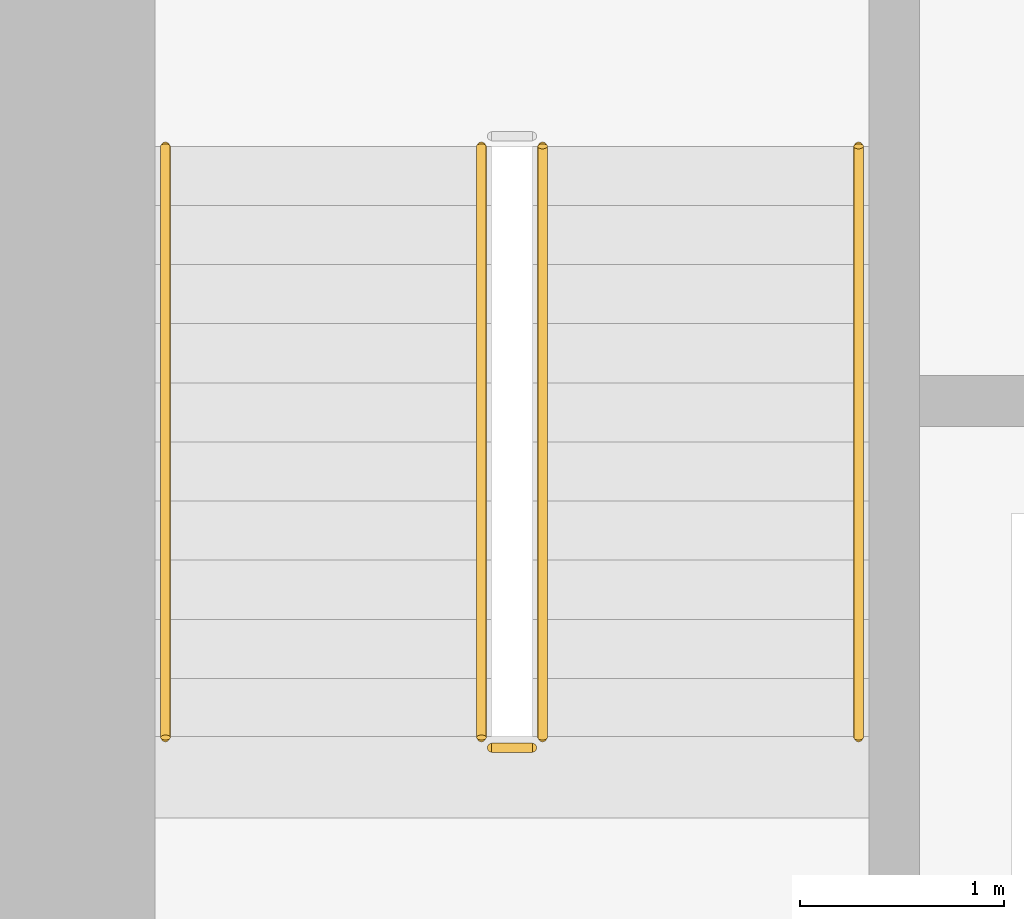
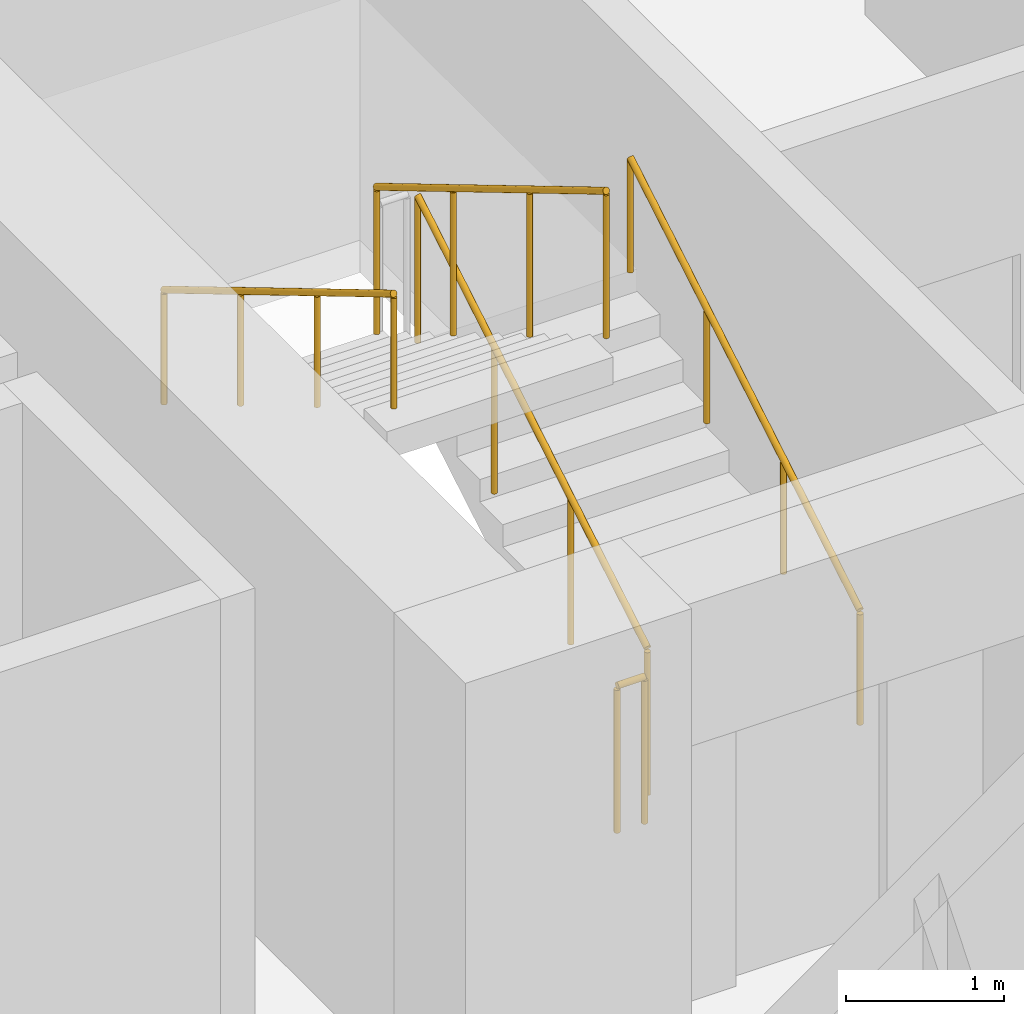
# One storey, part 24 of 27: 5 railings.
"""IFC4 building model written with IfcOpenShell, lengths in metres."""

from ifc_helpers import new_model, si_unit, direction, frame, origin, origin_2d, place, context, subcontext, project, spatial, circle, extrude, material, type_object, element, save


model = new_model("IFC4")

# Units and contexts
model_context = context("Model", 3, precision=1e-05, world=origin(), true_north=direction((0.0, 1.0)))
body_context = subcontext(model_context, "Body", "Model", "MODEL_VIEW")
ifc_project = project(units=[si_unit("LENGTHUNIT", "METRE"), si_unit("AREAUNIT", "SQUARE_METRE"), si_unit("VOLUMEUNIT", "CUBIC_METRE"), si_unit("PLANEANGLEUNIT", "RADIAN"), si_unit("MASSUNIT", "GRAM", prefix="KILO")], contexts=[model_context])

# Site, building, storey
site_placement = place(None, origin())
site = spatial("IfcSite", under=ifc_project, at=site_placement, CompositionType="ELEMENT")
building_placement = place(site_placement, origin())
building = spatial("IfcBuilding", under=site, at=building_placement, Name="Koriwani Terraces Tower", CompositionType="ELEMENT")
storey_placement = place(building_placement, frame((0.0, 0.0, 54.800048828125)))
storey = spatial("IfcBuildingStorey", under=building, at=storey_placement, Name="L12", CompositionType="ELEMENT", Elevation=54.800048828125)

# Railings
ifc_material = material(Name="Steel ASTM A572 Grade 50", Category="steel")
railing_type_1 = type_object("IfcRailingType", Name="GUARD_STAIR_WELL_1120", PredefinedType="GUARDRAIL", material=ifc_material)
railing_1_placement = place(storey_placement, frame((19.14990234375, 43.85009765625, 0.172607421875)))
element("IfcRailing", 1, at=railing_1_placement, inside=storey, type_object=railing_type_1, Name="L12 ST-W1 stair guard 1", PredefinedType="GUARDRAIL", context=body_context, shape_type="SweptSolid", body=[
    extrude(circle(Radius=0.02392578125, at=origin_2d()), frame((0.0, 0.0, 1.1259765625), z_axis=(0.0, 0.859141464434, 0.511738159696), x_axis=(-1.0, 0.0, 0.0)), (0.0, 0.0, 1.0), 3.375244140625),
    extrude(circle(Radius=0.02099609375, at=origin_2d()), origin(), (0.0, 0.0, 1.0), 1.101806640625),
    extrude(circle(Radius=0.02099609375, at=origin_2d()), frame((0.0, 0.966552734375, 0.57568359375)), (0.0, 0.0, 1.0), 1.101806640625),
    extrude(circle(Radius=0.02099609375, at=origin_2d()), frame((0.0, 1.933349609375, 1.151611328125)), (0.0, 0.0, 1.0), 1.101806640625),
    extrude(circle(Radius=0.02099609375, at=origin_2d()), frame((0.0, 2.89990234375, 1.727294921875)), (0.0, 0.0, 1.0), 1.101806640625),
])
railing_2_placement = place(storey_placement, frame((18.85009765625, 46.75, 2.07275390625)))
element("IfcRailing", 2, at=railing_2_placement, inside=storey, type_object=railing_type_1, Name="L12 ST-W1 stair guard 3", PredefinedType="GUARDRAIL", context=body_context, shape_type="SweptSolid", body=[
    extrude(circle(Radius=0.02392578125, at=origin_2d()), frame((0.0, 0.0, 1.1259765625), z_axis=(0.0, -0.859141464434, 0.511738159696), x_axis=(1.0, 0.0, 0.0)), (0.0, 0.0, 1.0), 3.375244140625),
    extrude(circle(Radius=0.02099609375, at=origin_2d()), origin(), (0.0, 0.0, 1.0), 1.101806640625),
    extrude(circle(Radius=0.02099609375, at=origin_2d()), frame((0.0, -0.966552734375, 0.57568359375)), (0.0, 0.0, 1.0), 1.101806640625),
    extrude(circle(Radius=0.02099609375, at=origin_2d()), frame((0.0, -1.933349609375, 1.151611328125)), (0.0, 0.0, 1.0), 1.101806640625),
    extrude(circle(Radius=0.02099609375, at=origin_2d()), frame((0.0, -2.89990234375, 1.727294921875)), (0.0, 0.0, 1.0), 1.101806640625),
])
railing_3_placement = place(storey_placement, frame((19.10009765625, 43.800048828125, 0.0)))
element("IfcRailing", 3, at=railing_3_placement, inside=storey, type_object=railing_type_1, Name="L12 ST-W1 stair guard 4", PredefinedType="GUARDRAIL", context=body_context, shape_type="SweptSolid", body=[
    extrude(circle(Radius=0.02392578125, at=origin_2d()), frame((0.0, 0.0, 1.1259765625), z_axis=(-1.0, 0.0, 0.0), x_axis=(0.0, -1.0, 0.0)), (0.0, 0.0, 1.0), 0.2001953125),
    extrude(circle(Radius=0.02099609375, at=origin_2d()), origin(), (0.0, 0.0, 1.0), 1.101806640625),
    extrude(circle(Radius=0.02099609375, at=origin_2d()), frame((-0.2001953125, 0.0, 0.0)), (0.0, 0.0, 1.0), 1.101806640625),
])
railing_type_2 = type_object("IfcRailingType", Name="HANDRAIL_STAIR_920", PredefinedType="HANDRAIL", material=ifc_material)
railing_4_placement = place(storey_placement, frame((20.699951171875, 43.85009765625, 0.172607421875)))
element("IfcRailing", 4, at=railing_4_placement, inside=storey, type_object=railing_type_2, Name="L12 ST-W1 stair handrail 1", PredefinedType="HANDRAIL", context=body_context, shape_type="SweptSolid", body=[
    extrude(circle(Radius=0.02392578125, at=origin_2d()), frame((0.0, 0.0, 0.8759765625), z_axis=(0.0, 0.859141464434, 0.511738159696), x_axis=(-1.0, 0.0, 0.0)), (0.0, 0.0, 1.0), 3.375244140625),
    extrude(circle(Radius=0.02099609375, at=origin_2d()), origin(), (0.0, 0.0, 1.0), 0.851806640625),
    extrude(circle(Radius=0.02099609375, at=origin_2d()), frame((0.0, 0.966552734375, 0.57568359375)), (0.0, 0.0, 1.0), 0.851806640625),
    extrude(circle(Radius=0.02099609375, at=origin_2d()), frame((0.0, 1.933349609375, 1.151611328125)), (0.0, 0.0, 1.0), 0.851806640625),
    extrude(circle(Radius=0.02099609375, at=origin_2d()), frame((0.0, 2.89990234375, 1.727294921875)), (0.0, 0.0, 1.0), 0.851806640625),
])
railing_5_placement = place(storey_placement, frame((17.300048828125, 46.75, 2.07275390625)))
element("IfcRailing", 5, at=railing_5_placement, inside=storey, type_object=railing_type_2, Name="L12 ST-W1 stair handrail 2", PredefinedType="HANDRAIL", context=body_context, shape_type="SweptSolid", body=[
    extrude(circle(Radius=0.02392578125, at=origin_2d()), frame((0.0, 0.0, 0.8759765625), z_axis=(0.0, -0.859141464434, 0.511738159696), x_axis=(1.0, 0.0, 0.0)), (0.0, 0.0, 1.0), 3.375244140625),
    extrude(circle(Radius=0.02099609375, at=origin_2d()), origin(), (0.0, 0.0, 1.0), 0.851806640625),
    extrude(circle(Radius=0.02099609375, at=origin_2d()), frame((0.0, -0.966552734375, 0.57568359375)), (0.0, 0.0, 1.0), 0.851806640625),
    extrude(circle(Radius=0.02099609375, at=origin_2d()), frame((0.0, -1.933349609375, 1.151611328125)), (0.0, 0.0, 1.0), 0.851806640625),
    extrude(circle(Radius=0.02099609375, at=origin_2d()), frame((0.0, -2.89990234375, 1.727294921875)), (0.0, 0.0, 1.0), 0.851806640625),
])

save(model, "model.ifc")
